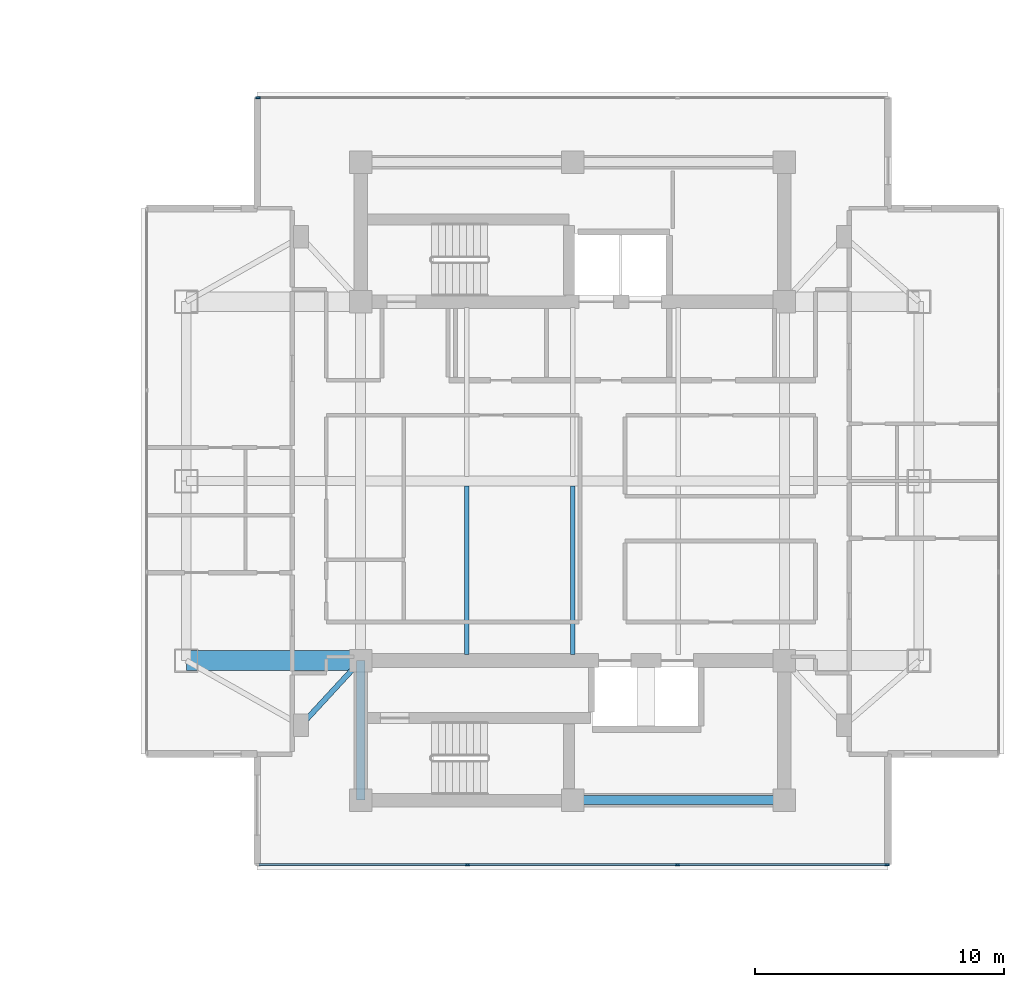
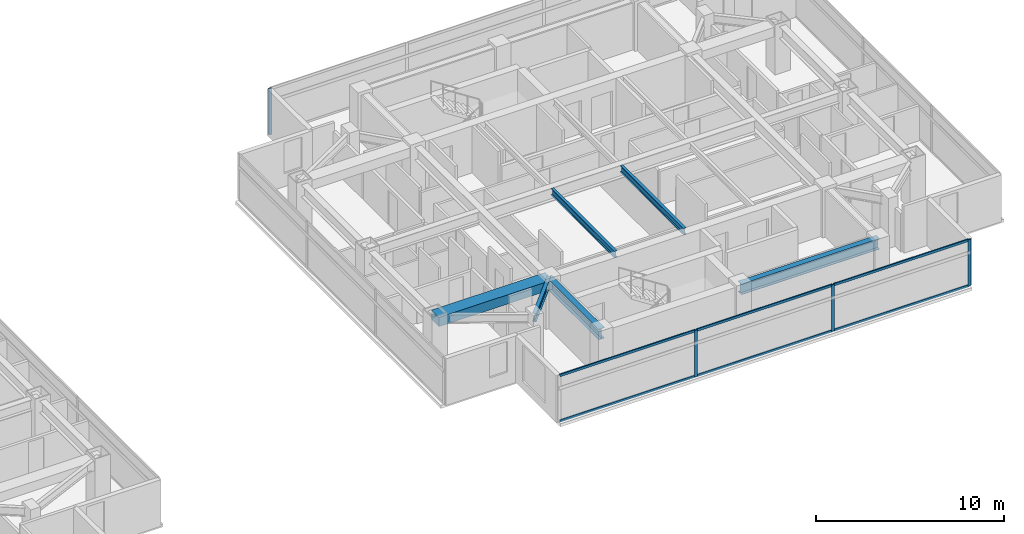
# One storey, part 8 of 24: 10 members, 6 beams, 2 elements without a shape of their own.
"""IFC4 building model written with IfcOpenShell, lengths in metres."""

from ifc_helpers import new_model, si_unit, direction, frame, origin, origin_2d, place, context, subcontext, project, spatial, rectangle, i_section, extrude, material, material_profile, profile_set, type_object, element, aggregate, save


model = new_model("IFC4")

# Units and contexts
model_context = context("Model", 3, precision=1e-05, world=origin(), true_north=direction((0.0, 1.0)))
body_context = subcontext(model_context, "Body", "Model", "MODEL_VIEW")
ifc_project = project(units=[si_unit("LENGTHUNIT", "METRE"), si_unit("AREAUNIT", "SQUARE_METRE"), si_unit("VOLUMEUNIT", "CUBIC_METRE"), si_unit("PLANEANGLEUNIT", "RADIAN"), si_unit("MASSUNIT", "GRAM", prefix="KILO")], contexts=[model_context])

# Site, building, storey
site_placement = place(None, origin())
site = spatial("IfcSite", under=ifc_project, at=site_placement, CompositionType="ELEMENT")
building_placement = place(site_placement, origin())
building = spatial("IfcBuilding", under=site, at=building_placement, Name="Mirazonda Arch Towers", CompositionType="ELEMENT")
storey_placement = place(building_placement, frame((0.0, 0.0, 193.39990234375)))
storey = spatial("IfcBuildingStorey", under=building, at=storey_placement, Name="L55", CompositionType="ELEMENT", Elevation=193.39990234375)

# Beams
ifc_material_1 = material(Name="Steel ASTM A992 Grade 50", Category="steel")
ifc_material_profile_1 = material_profile(ifc_material_1, i_section(OverallWidth=0.180908203125, OverallDepth=0.4169921875, WebThickness=0.010986328125, FlangeThickness=0.018310546875, at=origin_2d()), Name="W16X57")
ifc_profile_set_1 = profile_set([ifc_material_profile_1], Name="Steel ASTM A992 Grade 50")
beam_type_1 = type_object("IfcBeamType", Name="BM-INT-W16X57", PredefinedType="JOIST", material=ifc_profile_set_1)
for number, where, z_axis, x_axis, name in (
    (1, (72.25, 21.0400390625, 2.841552734375), (0.0, 1.0, 0.0), (-1.0, 0.0, 0.0), "L55 Floor Beam BM-T2-L55-J-722-20"),
    (2, (76.5, 21.0400390625, 2.841552734375), (0.0, 1.0, 0.0), (-1.0, 0.0, 0.0), "L55 Floor Beam BM-T2-L55-J-765-20"),
):
    element("IfcBeam", number, at=place(storey_placement, frame(where, z_axis=z_axis, x_axis=x_axis)), inside=storey, type_object=beam_type_1, Name=name, PredefinedType="JOIST", context=body_context, shape_type="SweptSolid", body=[
        extrude(i_section(OverallWidth=0.180908203125, OverallDepth=0.4169921875, WebThickness=0.010986328125, FlangeThickness=0.018310546875, at=origin_2d()), origin(), (0.0, 0.0, 1.0), 6.763916015625),
    ])
ifc_material_profile_2 = material_profile(ifc_material_1, i_section(OverallWidth=0.214111328125, OverallDepth=0.549072265625, WebThickness=0.0146484375, FlangeThickness=0.023681640625, at=origin_2d()), Name="W21X93")
ifc_profile_set_2 = profile_set([ifc_material_profile_2], Name="Steel ASTM A992 Grade 50")
beam_type_2 = type_object("IfcBeamType", Name="BM-INT-W21X93", PredefinedType="BEAM", material=ifc_profile_set_2)
beam_1_placement = place(storey_placement, frame((65.60009765625, 18.199951171875, 2.775634765625), z_axis=(0.678251444854, 0.734829897019, 0.0), x_axis=(-0.734829897019, 0.678251444854, 0.0)))
element("IfcBeam", 3, at=beam_1_placement, inside=storey, type_object=beam_type_2, Name="L55 Floor Beam BM-T2-L55-PL-SW1", PredefinedType="BEAM", context=body_context, shape_type="SweptSolid", body=[
    extrude(i_section(OverallWidth=0.214111328125, OverallDepth=0.549072265625, WebThickness=0.0146484375, FlangeThickness=0.023681640625, at=origin_2d()), origin(), (0.0, 0.0, 1.0), 3.538330078125),
])
ifc_material_profile_3 = material_profile(ifc_material_1, i_section(OverallWidth=0.35498046875, OverallDepth=0.696044921875, WebThickness=0.015380859375, FlangeThickness=0.02490234375, at=origin_2d()), Name="W27X146")
ifc_profile_set_3 = profile_set([ifc_material_profile_3], Name="Steel ASTM A992 Grade 50")
beam_type_3 = type_object("IfcBeamType", Name="BM-INT-W27X146", PredefinedType="BEAM", material=ifc_profile_set_3)
beam_2_placement = place(storey_placement, frame((76.5, 15.199951171875, 2.7021484375), z_axis=(1.0, 0.0, 0.0), x_axis=(0.0, 1.0, 0.0)))
element("IfcBeam", 4, at=beam_2_placement, inside=storey, type_object=beam_type_3, Name="L55 Floor Beam BM-T2-L55-CS2", PredefinedType="BEAM", context=body_context, shape_type="SweptSolid", body=[
    extrude(i_section(OverallWidth=0.35498046875, OverallDepth=0.696044921875, WebThickness=0.015380859375, FlangeThickness=0.02490234375, at=origin_2d()), origin(), (0.0, 0.0, 1.0), 8.5),
])
beam_3_placement = place(storey_placement, frame((68.0, 15.199951171875, 2.7021484375), z_axis=(0.0, 1.0, 0.0), x_axis=(-1.0, 0.0, 0.0)))
element("IfcBeam", 5, at=beam_3_placement, inside=storey, type_object=beam_type_3, Name="L55 Floor Beam BM-T2-L55-CSW", PredefinedType="BEAM", context=body_context, shape_type="SweptSolid", body=[
    extrude(i_section(OverallWidth=0.35498046875, OverallDepth=0.696044921875, WebThickness=0.015380859375, FlangeThickness=0.02490234375, at=origin_2d()), origin(), (0.0, 0.0, 1.0), 5.60009765625),
])
ifc_material_2 = material(Name="Concrete C60/75", Category="concrete")
ifc_material_profile_4 = material_profile(ifc_material_2, rectangle(XDim=0.800048828125, YDim=0.60009765625, at=origin_2d()), Name="RCCB800x600")
ifc_profile_set_4 = profile_set([ifc_material_profile_4], Name="Concrete C60/75")
beam_type_4 = type_object("IfcBeamType", Name="CB-INT-RCCB800x600", PredefinedType="SPANDREL", material=ifc_profile_set_4)
beam_4_placement = place(storey_placement, frame((61.0, 20.800048828125, 2.75), z_axis=(1.0, 0.0, 0.0), x_axis=(0.0, 1.0, 0.0)))
element("IfcBeam", 6, at=beam_4_placement, inside=storey, type_object=beam_type_4, Name="L55 Floor Beam CBC-T2-L55-SW", PredefinedType="SPANDREL", context=body_context, shape_type="SweptSolid", body=[
    extrude(rectangle(XDim=0.800048828125, YDim=0.60009765625, at=origin_2d()), origin(), (0.0, 0.0, 1.0), 7.0),
])

# Curtain wall, members
ifc_material_3 = material(Name="Anodised Aluminium and Low-E Glass", Category="aluminium")
curtain_wall_type = type_object("IfcCurtainWallType", Name="CW-RES-UNIT", PredefinedType="NOTDEFINED", material=ifc_material_3)
curtain_wall_1_placement = place(storey_placement, origin())
curtain_wall_1 = element("IfcCurtainWall", 7, at=curtain_wall_1_placement, inside=storey, type_object=curtain_wall_type, Name="L55 T2 S Facade CW-L55-T2-S", PredefinedType="NOTDEFINED")
ifc_material_4 = material(Name="Anodised Aluminium Alloy", Category="aluminium")
ifc_material_profile_5 = material_profile(ifc_material_4, rectangle(XDim=0.074951171875, YDim=0.175048828125, at=origin_2d()), Name="ALU-MULL-75x175")
ifc_profile_set_5 = profile_set([ifc_material_profile_5], Name="Anodised Aluminium Alloy")
member_type_1 = type_object("IfcMemberType", Name="MULL-CW-RES-UNIT", PredefinedType="MULLION", material=ifc_profile_set_5)
member_1_placement = place(storey_placement, frame((89.1142578125, 12.611572265625, 0.0), z_axis=(0.0, 0.0, 1.0), x_axis=(0.0, -1.0, 0.0)))
member_1 = element("IfcMember", 8, at=member_1_placement, type_object=member_type_1, Name="CW-104 mullion 1", PredefinedType="MULLION", context=body_context, shape_type="SweptSolid", body=[
    extrude(rectangle(XDim=0.074951171875, YDim=0.175048828125, at=origin_2d()), origin(), (0.0, 0.0, 1.0), 3.030029296875),
])
member_2_placement = place(storey_placement, frame((80.71728515625, 12.611572265625, 0.0), z_axis=(0.0, 0.0, 1.0), x_axis=(0.0, -1.0, 0.0)))
member_2 = element("IfcMember", 9, at=member_2_placement, type_object=member_type_1, Name="CW-104 mullion 2", PredefinedType="MULLION", context=body_context, shape_type="SweptSolid", body=[
    extrude(rectangle(XDim=0.074951171875, YDim=0.175048828125, at=origin_2d()), origin(), (0.0, 0.0, 1.0), 3.030029296875),
])
member_3_placement = place(storey_placement, frame((72.28271484375, 12.611572265625, 0.0), z_axis=(0.0, 0.0, 1.0), x_axis=(0.0, -1.0, 0.0)))
member_3 = element("IfcMember", 10, at=member_3_placement, type_object=member_type_1, Name="CW-104 mullion 3", PredefinedType="MULLION", context=body_context, shape_type="SweptSolid", body=[
    extrude(rectangle(XDim=0.074951171875, YDim=0.175048828125, at=origin_2d()), origin(), (0.0, 0.0, 1.0), 3.030029296875),
])

# Curtain wall, member
curtain_wall_2_placement = place(storey_placement, origin())
curtain_wall_2 = element("IfcCurtainWall", 11, at=curtain_wall_2_placement, inside=storey, type_object=curtain_wall_type, Name="L55 T2 N Facade CW-L55-T2-N", PredefinedType="NOTDEFINED")
member_4_placement = place(storey_placement, frame((63.8857421875, 43.388427734375, 0.0), z_axis=(0.0, 0.0, 1.0), x_axis=(0.0, 1.0, 0.0)))
member_4 = element("IfcMember", 12, at=member_4_placement, type_object=member_type_1, Name="CW-104 mullion 1", PredefinedType="MULLION", context=body_context, shape_type="SweptSolid", body=[
    extrude(rectangle(XDim=0.074951171875, YDim=0.175048828125, at=origin_2d()), origin(), (0.0, 0.0, 1.0), 3.030029296875),
])
aggregate(curtain_wall_2, [member_4])

# Member
ifc_material_profile_6 = material_profile(ifc_material_4, rectangle(XDim=0.074951171875, YDim=0.155029296875, at=origin_2d()), Name="ALU-TRAN-75x155")
ifc_profile_set_6 = profile_set([ifc_material_profile_6], Name="Anodised Aluminium Alloy")
member_type_2 = type_object("IfcMemberType", Name="TRAN-CW-RES-UNIT", PredefinedType="USERDEFINED", material=ifc_profile_set_6)
member_5_placement = place(storey_placement, frame((89.076904296875, 12.611572265625, 0.03759765625), z_axis=(-1.0, 0.0, 0.0), x_axis=(0.0, -1.0, 0.0)))
member_5 = element("IfcMember", 13, at=member_5_placement, type_object=member_type_2, Name="CW-104 transom 1.1", ObjectType="TRANSOM", PredefinedType="USERDEFINED", context=body_context, shape_type="SweptSolid", body=[
    extrude(rectangle(XDim=0.074951171875, YDim=0.155029296875, at=origin_2d()), origin(), (0.0, 0.0, 1.0), 8.322021484375),
])

member_6_placement = place(storey_placement, frame((89.076904296875, 12.611572265625, 2.99267578125), z_axis=(-1.0, 0.0, 0.0), x_axis=(0.0, -1.0, 0.0)))
member_6 = element("IfcMember", 14, at=member_6_placement, type_object=member_type_2, Name="CW-104 transom 1.2", ObjectType="TRANSOM", PredefinedType="USERDEFINED", context=body_context, shape_type="SweptSolid", body=[
    extrude(rectangle(XDim=0.074951171875, YDim=0.155029296875, at=origin_2d()), origin(), (0.0, 0.0, 1.0), 8.322021484375),
])

member_7_placement = place(storey_placement, frame((80.6796875, 12.611572265625, 0.03759765625), z_axis=(-1.0, 0.0, 0.0), x_axis=(0.0, -1.0, 0.0)))
member_7 = element("IfcMember", 15, at=member_7_placement, type_object=member_type_2, Name="CW-104 transom 2.1", ObjectType="TRANSOM", PredefinedType="USERDEFINED", context=body_context, shape_type="SweptSolid", body=[
    extrude(rectangle(XDim=0.074951171875, YDim=0.155029296875, at=origin_2d()), origin(), (0.0, 0.0, 1.0), 8.359375),
])

member_8_placement = place(storey_placement, frame((80.6796875, 12.611572265625, 2.99267578125), z_axis=(-1.0, 0.0, 0.0), x_axis=(0.0, -1.0, 0.0)))
member_8 = element("IfcMember", 16, at=member_8_placement, type_object=member_type_2, Name="CW-104 transom 2.2", ObjectType="TRANSOM", PredefinedType="USERDEFINED", context=body_context, shape_type="SweptSolid", body=[
    extrude(rectangle(XDim=0.074951171875, YDim=0.155029296875, at=origin_2d()), origin(), (0.0, 0.0, 1.0), 8.359375),
])

member_9_placement = place(storey_placement, frame((72.2451171875, 12.611572265625, 0.03759765625), z_axis=(-1.0, 0.0, 0.0), x_axis=(0.0, -1.0, 0.0)))
member_9 = element("IfcMember", 17, at=member_9_placement, type_object=member_type_2, Name="CW-104 transom 3.1", ObjectType="TRANSOM", PredefinedType="USERDEFINED", context=body_context, shape_type="SweptSolid", body=[
    extrude(rectangle(XDim=0.074951171875, YDim=0.155029296875, at=origin_2d()), origin(), (0.0, 0.0, 1.0), 8.322021484375),
])

member_10_placement = place(storey_placement, frame((72.2451171875, 12.611572265625, 2.99267578125), z_axis=(-1.0, 0.0, 0.0), x_axis=(0.0, -1.0, 0.0)))
member_10 = element("IfcMember", 18, at=member_10_placement, type_object=member_type_2, Name="CW-104 transom 3.2", ObjectType="TRANSOM", PredefinedType="USERDEFINED", context=body_context, shape_type="SweptSolid", body=[
    extrude(rectangle(XDim=0.074951171875, YDim=0.155029296875, at=origin_2d()), origin(), (0.0, 0.0, 1.0), 8.322021484375),
])

aggregate(curtain_wall_1, [member_1, member_2, member_3, member_5, member_6, member_7, member_8, member_9, member_10])

save(model, "model.ifc")
